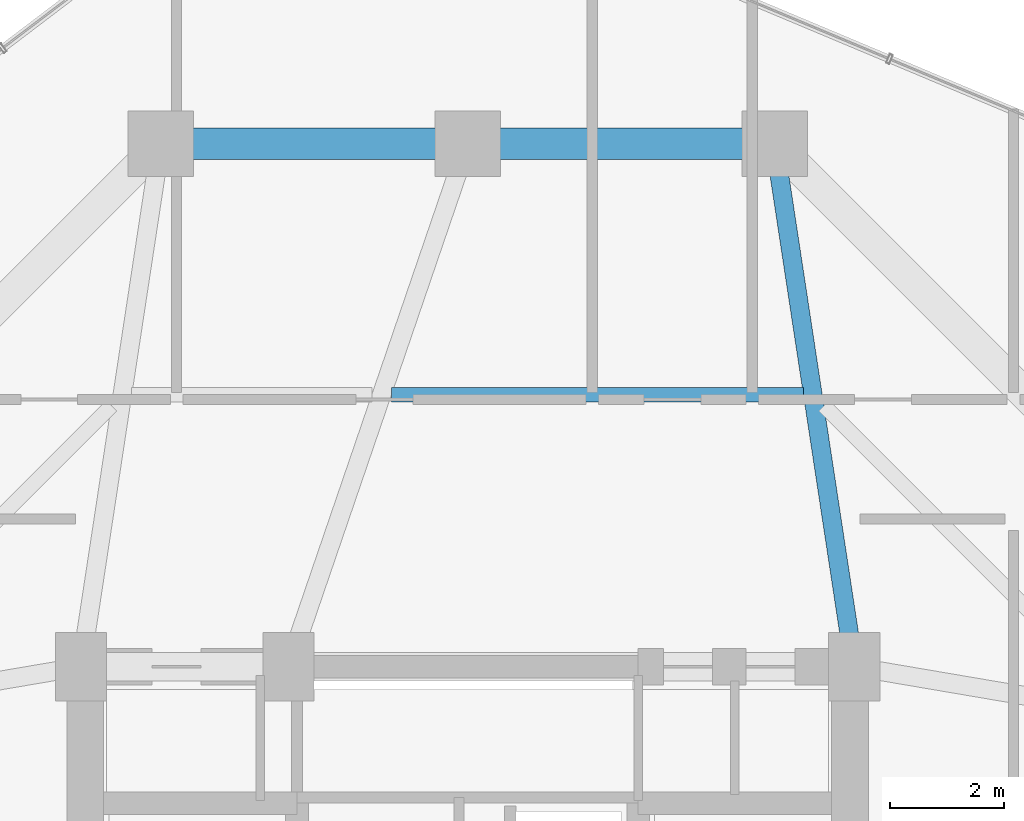
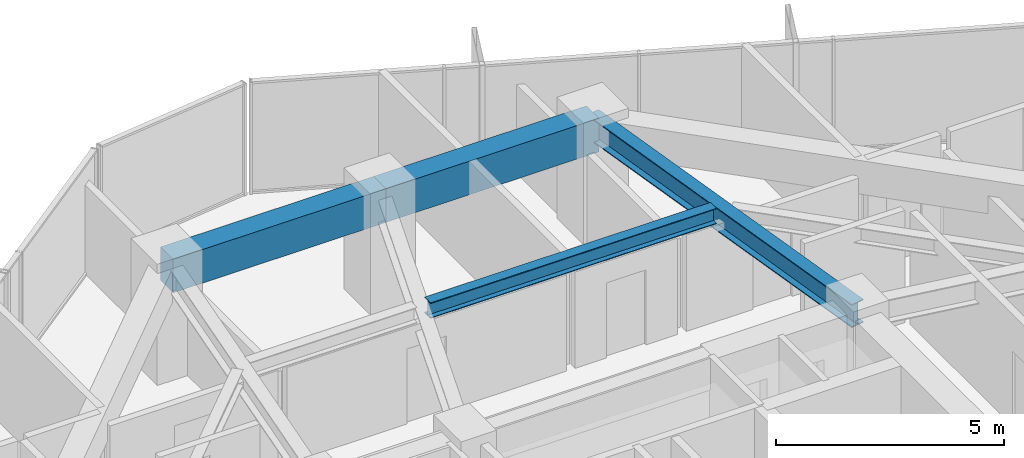
# One storey, part 22 of 33: 4 beams.
"""IFC4 building model written with IfcOpenShell, lengths in metres."""

from ifc_helpers import new_model, si_unit, direction, frame, origin, origin_2d, place, context, subcontext, project, spatial, rectangle, i_section, extrude, material, material_profile, profile_set, type_object, element, save


model = new_model("IFC4")

# Units and contexts
model_context = context("Model", 3, precision=1e-05, world=origin(), true_north=direction((0.0, 1.0)))
body_context = subcontext(model_context, "Body", "Model", "MODEL_VIEW")
ifc_project = project(units=[si_unit("LENGTHUNIT", "METRE"), si_unit("AREAUNIT", "SQUARE_METRE"), si_unit("VOLUMEUNIT", "CUBIC_METRE"), si_unit("PLANEANGLEUNIT", "RADIAN"), si_unit("MASSUNIT", "GRAM", prefix="KILO")], contexts=[model_context])

# Site, building, storey
site_placement = place(None, origin())
site = spatial("IfcSite", under=ifc_project, at=site_placement, CompositionType="ELEMENT")
building_placement = place(site_placement, origin())
building = spatial("IfcBuilding", under=site, at=building_placement, Name="Veraguas Prism Commons", CompositionType="ELEMENT")
storey_placement = place(building_placement, frame((0.0, 0.0, 152.25)))
storey = spatial("IfcBuildingStorey", under=building, at=storey_placement, Name="L43", CompositionType="ELEMENT", Elevation=152.25)

# Beams
ifc_material_1 = material(Name="Steel ASTM A992 Grade 50", Category="steel")
ifc_material_profile_1 = material_profile(ifc_material_1, i_section(OverallWidth=0.260986328125, OverallDepth=0.419921875, WebThickness=0.01171875, FlangeThickness=0.019287109375, at=origin_2d()), Name="W410X114")
ifc_profile_set_1 = profile_set([ifc_material_profile_1], Name="Steel ASTM A992 Grade 50")
beam_type_1 = type_object("IfcBeamType", Name="Lower Floor Joist W410x114", PredefinedType="JOIST", material=ifc_profile_set_1)
beam_1_placement = place(storey_placement, frame((29.908203125, 35.783935546875, 2.7900390625), z_axis=(-1.0, 0.0, 0.0), x_axis=(0.0, -1.0, 0.0)))
element("IfcBeam", 1, at=beam_1_placement, inside=storey, type_object=beam_type_1, Name="Composite Floor Joist L43-JS04", PredefinedType="JOIST", context=body_context, shape_type="SweptSolid", body=[
    extrude(i_section(OverallWidth=0.260986328125, OverallDepth=0.419921875, WebThickness=0.01171875, FlangeThickness=0.019287109375, at=origin_2d()), origin(), (0.0, 0.0, 1.0), 7.2490234375),
])
ifc_material_2 = material(Name="Concrete C50/60", Category="concrete")
ifc_material_profile_2 = material_profile(ifc_material_2, rectangle(XDim=0.550048828125, YDim=0.89990234375, at=origin_2d()), Name="RC550X900")
ifc_profile_set_2 = profile_set([ifc_material_profile_2], Name="Concrete C50/60")
beam_type_2 = type_object("IfcBeamType", Name="Perimeter Spandrel Lower RC 550x900", PredefinedType="SPANDREL", material=ifc_profile_set_2)
for number, where, z_axis, x_axis, name in (
    (2, (29.39990234375, 40.199951171875, 2.550048828125), (-1.0, 0.0, 0.0), (0.0, -1.0, 0.0), "Perimeter Spandrel Beam L43-SP04"),
    (3, (24.0, 40.199951171875, 2.550048828125), (-1.0, 0.0, 0.0), (0.0, -1.0, 0.0), "Perimeter Spandrel Beam L43-SP05"),
):
    element("IfcBeam", number, at=place(storey_placement, frame(where, z_axis=z_axis, x_axis=x_axis)), inside=storey, type_object=beam_type_2, Name=name, PredefinedType="SPANDREL", context=body_context, shape_type="SweptSolid", body=[
        extrude(rectangle(XDim=0.550048828125, YDim=0.89990234375, at=origin_2d()), origin(), (0.0, 0.0, 1.0), 5.39990234375),
    ])
ifc_material_profile_3 = material_profile(ifc_material_1, i_section(OverallWidth=0.327880859375, OverallDepth=0.6220703125, WebThickness=0.015380859375, FlangeThickness=0.0244140625, at=origin_2d()), Name="W610X195")
ifc_profile_set_3 = profile_set([ifc_material_profile_3], Name="Steel ASTM A992 Grade 50")
beam_type_3 = type_object("IfcBeamType", Name="Zone 2 Radial Girder W610x195", PredefinedType="BEAM", material=ifc_profile_set_3)
beam_2_placement = place(storey_placement, frame((29.39990234375, 40.199951171875, 2.68896484375), z_axis=(0.150458162136, -0.98861637729, 0.0), x_axis=(0.98861637729, 0.150458162136, 0.0)))
element("IfcBeam", 4, at=beam_2_placement, inside=storey, type_object=beam_type_3, Name="Radial Floor Girder L43-RD04", PredefinedType="BEAM", context=body_context, shape_type="SweptSolid", body=[
    extrude(i_section(OverallWidth=0.327880859375, OverallDepth=0.6220703125, WebThickness=0.015380859375, FlangeThickness=0.0244140625, at=origin_2d()), origin(), (0.0, 0.0, 1.0), 9.305908203125),
])

save(model, "model.ifc")
